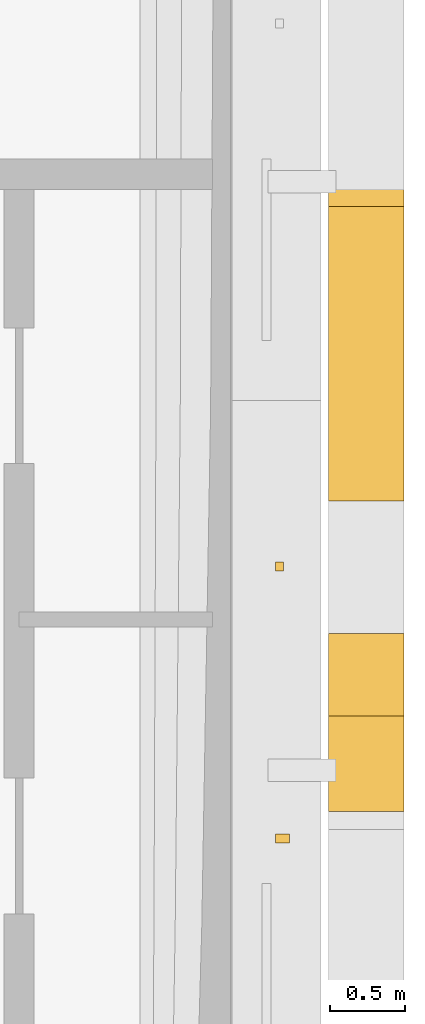
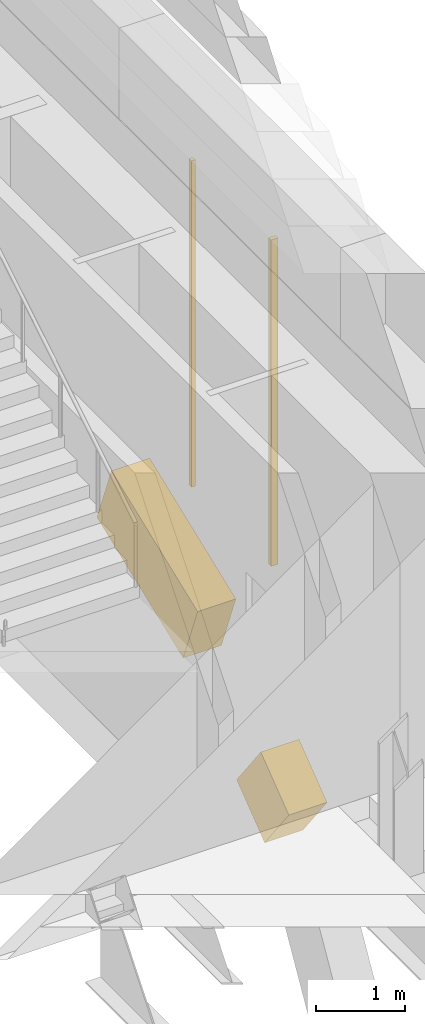
# One storey, part 29 of 38: 4 coverings.
"""IFC4 building model written with IfcOpenShell, lengths in metres."""

from ifc_helpers import new_model, si_unit, direction, frame, origin, origin_2d, place, context, subcontext, project, spatial, rectangle, extrude, material, material_profile, profile_set, type_object, element, save


model = new_model("IFC4")

# Units and contexts
model_context = context("Model", 3, precision=1e-05, world=origin(), true_north=direction((0.0, 1.0)))
body_context = subcontext(model_context, "Body", "Model", "MODEL_VIEW")
ifc_project = project(units=[si_unit("LENGTHUNIT", "METRE"), si_unit("AREAUNIT", "SQUARE_METRE"), si_unit("VOLUMEUNIT", "CUBIC_METRE"), si_unit("PLANEANGLEUNIT", "RADIAN"), si_unit("MASSUNIT", "GRAM", prefix="KILO")], contexts=[model_context])

# Site, building, storey
site_placement = place(None, origin())
site = spatial("IfcSite", under=ifc_project, at=site_placement, CompositionType="ELEMENT")
building_placement = place(site_placement, origin())
building = spatial("IfcBuilding", under=site, at=building_placement, Name="Cobrizo Arcos Hotel Tower", CompositionType="ELEMENT")
storey_placement = place(building_placement, frame((0.0, 0.0, 138.0)))
storey = spatial("IfcBuildingStorey", under=building, at=storey_placement, Name="L35", CompositionType="ELEMENT", Elevation=138.0)

# Coverings
ifc_material = material(Name="Aluminium 6063-T6 anodised pale", Category="aluminium")
ifc_material_profile = material_profile(ifc_material, rectangle(XDim=0.5, YDim=0.89990234375, at=origin_2d()), Name="AF-2 core arch rim 500x900")
ifc_profile_set = profile_set([ifc_material_profile], Name="Aluminium 6063-T6 anodised pale")
covering_type_1 = type_object("IfcCoveringType", Name="AF-2 core arch rim 500x900", PredefinedType="CLADDING", material=ifc_profile_set)
covering_1_placement = place(storey_placement, frame((23.699951171875, -5.85009765625, -4.03369140625), z_axis=(0.0, 0.793802879778, 0.60817512943), x_axis=(-1.0, 0.0, 0.0)))
element("IfcCovering", 1, at=covering_1_placement, inside=storey, type_object=covering_type_1, Name="Arch rim B E face", PredefinedType="CLADDING", context=body_context, shape_type="SweptSolid", body=[
    extrude(rectangle(XDim=0.5, YDim=0.89990234375, at=origin_2d()), origin(), (0.0, 0.0, 1.0), 0.799560546875),
])
covering_2_placement = place(storey_placement, frame((23.699951171875, -3.89990234375, -2.53955078125), z_axis=(0.0, 0.931493782789, 0.363757244087), x_axis=(-1.0, 0.0, 0.0)))
element("IfcCovering", 2, at=covering_2_placement, inside=storey, type_object=covering_type_1, Name="Arch rim B E face", PredefinedType="CLADDING", context=body_context, shape_type="SweptSolid", body=[
    extrude(rectangle(XDim=0.5, YDim=0.89990234375, at=origin_2d()), origin(), (0.0, 0.0, 1.0), 2.09326171875),
])
covering_type_2 = type_object("IfcCoveringType", Name="RS-1 rainscreen rib 60x90", PredefinedType="CLADDING", material=ifc_material)
covering_3_placement = place(storey_placement, frame((23.14501953125, -6.300048828125, 0.0), z_axis=(0.0, 0.0, 1.0), x_axis=(0.0, 1.0, 0.0)))
element("IfcCovering", 3, at=covering_3_placement, inside=storey, type_object=covering_type_2, Name="Rainscreen rib 43", PredefinedType="CLADDING", context=body_context, shape_type="SweptSolid", body=[
    extrude(rectangle(XDim=0.06005859375, YDim=0.090087890625, at=origin_2d()), origin(), (0.0, 0.0, 1.0), 4.5),
])
covering_type_3 = type_object("IfcCoveringType", Name="RS-2 rainscreen rib 60x50", PredefinedType="CLADDING", material=ifc_material)
covering_4_placement = place(storey_placement, frame((23.125, -4.5, 0.0), z_axis=(0.0, 0.0, 1.0), x_axis=(0.0, 1.0, 0.0)))
element("IfcCovering", 4, at=covering_4_placement, inside=storey, type_object=covering_type_3, Name="Rainscreen rib 44", PredefinedType="CLADDING", context=body_context, shape_type="SweptSolid", body=[
    extrude(rectangle(XDim=0.06005859375, YDim=0.050048828125, at=origin_2d()), origin(), (0.0, 0.0, 1.0), 4.5),
])

save(model, "model.ifc")
